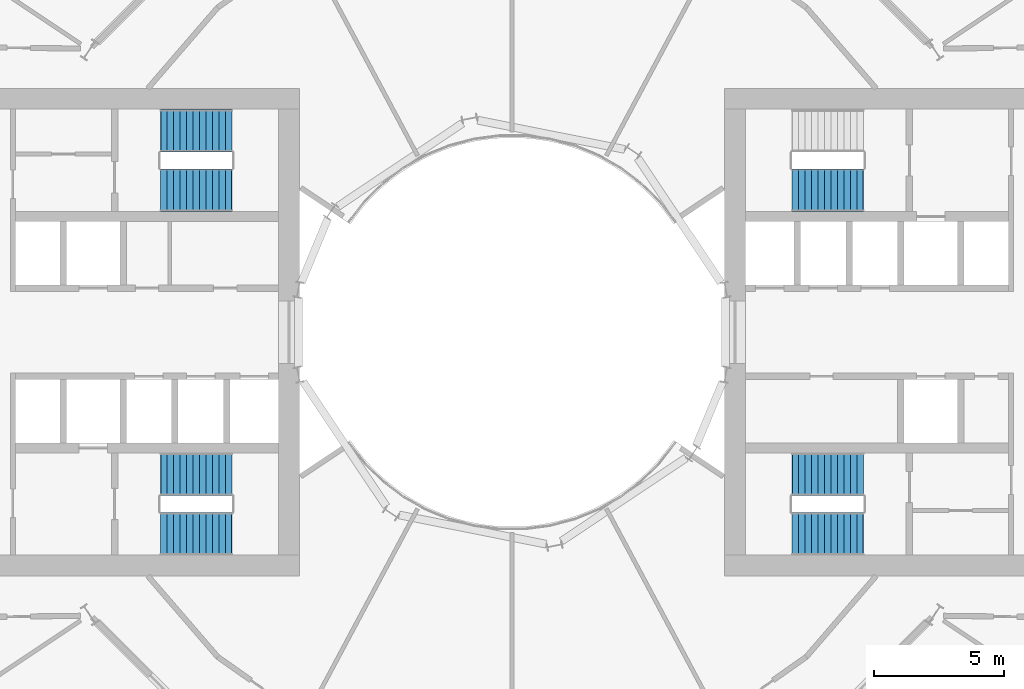
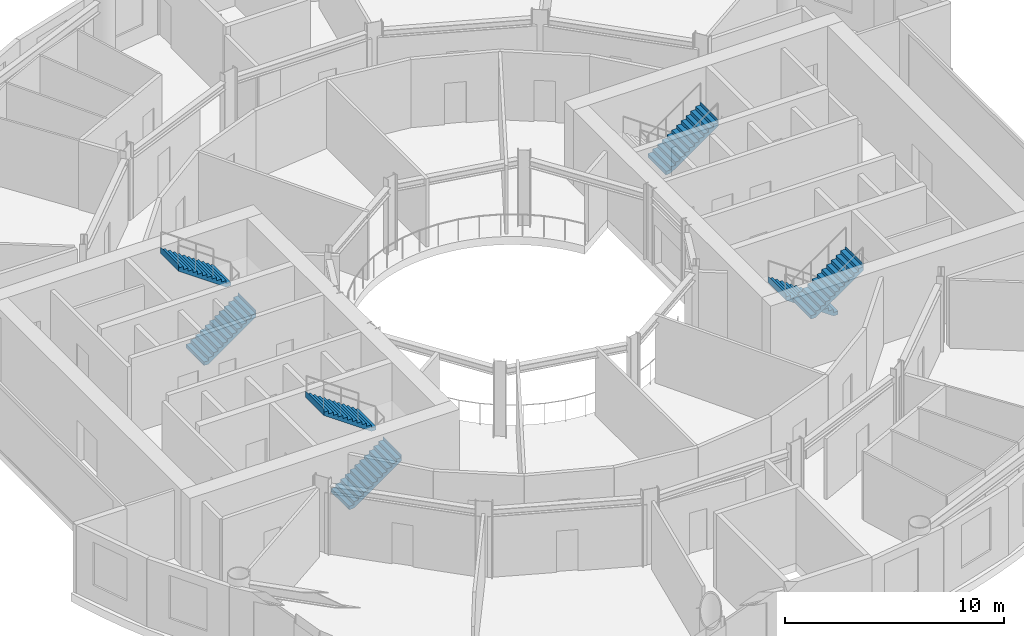
# One storey, part 10 of 13: 7 stair flights, 4 elements without a shape of their own.
"""IFC4 building model written with IfcOpenShell, lengths in metres."""

from ifc_helpers import new_model, si_unit, direction, frame, origin, place, context, subcontext, project, spatial, triangles, material, type_object, element, aggregate, save


model = new_model("IFC4")

# Units and contexts
model_context = context("Model", 3, precision=1e-05, world=origin(), true_north=direction((0.0, 1.0)))
body_context = subcontext(model_context, "Body", "Model", "MODEL_VIEW")
ifc_project = project(units=[si_unit("LENGTHUNIT", "METRE"), si_unit("AREAUNIT", "SQUARE_METRE"), si_unit("VOLUMEUNIT", "CUBIC_METRE"), si_unit("PLANEANGLEUNIT", "RADIAN"), si_unit("MASSUNIT", "GRAM", prefix="KILO")], contexts=[model_context])

# Site, building, storey
site_placement = place(None, origin())
site = spatial("IfcSite", under=ifc_project, at=site_placement, CompositionType="ELEMENT")
building_placement = place(site_placement, origin())
building = spatial("IfcBuilding", under=site, at=building_placement, Name="Maasbend Ring Residences", CompositionType="ELEMENT")
storey_placement = place(building_placement, frame((0.0, 0.0, 14.10009765625)))
storey = spatial("IfcBuildingStorey", under=building, at=storey_placement, Name="L03", CompositionType="ELEMENT", Elevation=14.10009765625)

# Stair, stair flight
ifc_material_1 = material(Name="Concrete C40/50", Category="concrete")
stair_type = type_object("IfcStairType", Name="CORE STAIR 24 RISERS", PredefinedType="HALF_TURN_STAIR", material=ifc_material_1)
stair_1_placement = place(storey_placement, origin())
stair_1 = element("IfcStair", 1, at=stair_1_placement, inside=storey, type_object=stair_type, Name="L03 Exit stair ST-E1", PredefinedType="HALF_TURN_STAIR")
ifc_material_2 = material(Name="Concrete C40/50", Category="concrete")
stair_flight_type = type_object("IfcStairFlightType", Name="CORE STAIR FLIGHT 1650", PredefinedType="STRAIGHT", material=ifc_material_2)
stair_flight_1_placement = place(storey_placement, frame((10.800048828125, 5.47509765625, 2.099853515625), z_axis=(0.0, 0.0, 1.0), x_axis=(1.0, 0.0, 0.0)))
stair_flight_1 = element("IfcStairFlight", 2, at=stair_flight_1_placement, type_object=stair_flight_type, Name="ST-E1 flight 2", NumberOfRisers=12, NumberOfTreads=11, PredefinedType="STRAIGHT", RiserHeight=0.175, TreadLength=0.25, context=body_context, shape_type="Tessellation", body=[
    triangles([(0.23583984375, 0.824951171875, -0.02001953125), (2.7529296875, 0.824951171875, 1.741943359375), (2.7529296875, 0.824951171875, 2.10009765625), (2.739990234375, 0.824951171875, 1.925048828125), (2.5, 0.824951171875, 1.925048828125), (2.5, 0.824951171875, 1.75), (2.25, 0.824951171875, 1.75), (2.25, 0.824951171875, 1.574951171875), (2.0, 0.824951171875, 1.574951171875), (2.0, 0.824951171875, 1.39990234375), (1.75, 0.824951171875, 1.39990234375), (1.75, 0.824951171875, 1.22509765625), (1.5, 0.824951171875, 1.22509765625), (1.5, 0.824951171875, 1.050048828125), (1.25, 0.824951171875, 1.050048828125), (1.25, 0.824951171875, 0.875), (1.0, 0.824951171875, 0.875), (1.0, 0.824951171875, 0.699951171875), (0.75, 0.824951171875, 0.699951171875), (0.75, 0.824951171875, 0.52490234375), (0.5, 0.824951171875, 0.52490234375), (0.5, 0.824951171875, 0.35009765625), (0.25, 0.824951171875, 0.35009765625), (0.25, 0.824951171875, 0.175048828125), (0.0, 0.824951171875, 0.175048828125), (0.0, 0.824951171875, 0.0), (-0.0029296875, 0.824951171875, 0.0), (-0.0029296875, 0.824951171875, -0.02001953125), (0.23583984375, -0.824951171875, -0.02001953125), (2.7529296875, -0.824951171875, 1.741943359375), (2.7529296875, -0.824951171875, 2.10009765625), (2.739990234375, -0.824951171875, 1.925048828125), (2.5, -0.824951171875, 1.925048828125), (2.5, -0.824951171875, 1.75), (2.25, -0.824951171875, 1.75), (2.25, -0.824951171875, 1.574951171875), (2.0, -0.824951171875, 1.574951171875), (2.0, -0.824951171875, 1.39990234375), (1.75, -0.824951171875, 1.39990234375), (1.75, -0.824951171875, 1.22509765625), (1.5, -0.824951171875, 1.22509765625), (1.5, -0.824951171875, 1.050048828125), (1.25, -0.824951171875, 1.050048828125), (1.25, -0.824951171875, 0.875), (1.0, -0.824951171875, 0.875), (1.0, -0.824951171875, 0.699951171875), (0.75, -0.824951171875, 0.699951171875), (0.75, -0.824951171875, 0.52490234375), (0.5, -0.824951171875, 0.52490234375), (0.5, -0.824951171875, 0.35009765625), (0.25, -0.824951171875, 0.35009765625), (0.25, -0.824951171875, 0.175048828125), (0.0, -0.824951171875, 0.175048828125), (0.0, -0.824951171875, 0.0), (-0.0029296875, -0.824951171875, 0.0), (-0.0029296875, -0.824951171875, -0.02001953125)], [[1, 2, 30], [1, 30, 29], [2, 3, 31], [2, 31, 30], [3, 4, 32], [3, 32, 31], [4, 5, 33], [4, 33, 32], [5, 6, 34], [5, 34, 33], [6, 7, 35], [6, 35, 34], [7, 8, 36], [7, 36, 35], [8, 9, 37], [8, 37, 36], [9, 10, 38], [9, 38, 37], [10, 11, 39], [10, 39, 38], [11, 12, 40], [11, 40, 39], [12, 13, 41], [12, 41, 40], [13, 14, 42], [13, 42, 41], [14, 15, 43], [14, 43, 42], [15, 16, 44], [15, 44, 43], [16, 17, 45], [16, 45, 44], [17, 18, 46], [17, 46, 45], [18, 19, 47], [18, 47, 46], [19, 20, 48], [19, 48, 47], [20, 21, 49], [20, 49, 48], [21, 22, 50], [21, 50, 49], [22, 23, 51], [22, 51, 50], [23, 24, 52], [23, 52, 51], [24, 25, 53], [24, 53, 52], [25, 26, 54], [25, 54, 53], [26, 27, 55], [26, 55, 54], [27, 28, 56], [27, 56, 55], [28, 1, 29], [28, 29, 56], [28, 2, 1], [2, 4, 3], [2, 5, 4], [2, 6, 5], [28, 6, 2], [6, 8, 7], [28, 8, 6], [8, 10, 9], [28, 10, 8], [10, 12, 11], [28, 12, 10], [12, 14, 13], [28, 14, 12], [14, 16, 15], [28, 16, 14], [16, 18, 17], [28, 18, 16], [18, 20, 19], [28, 20, 18], [20, 22, 21], [28, 22, 20], [22, 24, 23], [28, 24, 22], [24, 26, 25], [28, 26, 24], [26, 28, 27], [56, 29, 30], [30, 31, 32], [30, 32, 33], [30, 33, 34], [56, 30, 34], [34, 35, 36], [56, 34, 36], [36, 37, 38], [56, 36, 38], [38, 39, 40], [56, 38, 40], [40, 41, 42], [56, 40, 42], [42, 43, 44], [56, 42, 44], [44, 45, 46], [56, 44, 46], [46, 47, 48], [56, 46, 48], [48, 49, 50], [56, 48, 50], [50, 51, 52], [56, 50, 52], [52, 53, 54], [56, 52, 54], [54, 55, 56]], closed=True),
])
aggregate(stair_1, [stair_flight_1])

# Stair, stair flights
stair_2_placement = place(storey_placement, origin())
stair_2 = element("IfcStair", 3, at=stair_2_placement, inside=storey, type_object=stair_type, Name="L03 Exit stair ST-E2", PredefinedType="HALF_TURN_STAIR")
stair_flight_2_placement = place(storey_placement, frame((13.550048828125, -5.47509765625, 0.0), z_axis=(0.0, 0.0, 1.0), x_axis=(-1.0, 0.0, 0.0)))
stair_flight_2 = element("IfcStairFlight", 4, at=stair_flight_2_placement, type_object=stair_flight_type, Name="ST-E2 flight 1", NumberOfRisers=12, NumberOfTreads=11, PredefinedType="STRAIGHT", RiserHeight=0.175, TreadLength=0.25, context=body_context, shape_type="Tessellation", body=[
    triangles([(0.23583984375, 0.824951171875, -0.02001953125), (2.7529296875, 0.824951171875, 1.741943359375), (2.7529296875, 0.824951171875, 2.10009765625), (2.739990234375, 0.824951171875, 1.925048828125), (2.5, 0.824951171875, 1.925048828125), (2.5, 0.824951171875, 1.75), (2.25, 0.824951171875, 1.75), (2.25, 0.824951171875, 1.574951171875), (2.0, 0.824951171875, 1.574951171875), (2.0, 0.824951171875, 1.39990234375), (1.75, 0.824951171875, 1.39990234375), (1.75, 0.824951171875, 1.22509765625), (1.5, 0.824951171875, 1.22509765625), (1.5, 0.824951171875, 1.050048828125), (1.25, 0.824951171875, 1.050048828125), (1.25, 0.824951171875, 0.875), (1.0, 0.824951171875, 0.875), (1.0, 0.824951171875, 0.699951171875), (0.75, 0.824951171875, 0.699951171875), (0.75, 0.824951171875, 0.52490234375), (0.5, 0.824951171875, 0.52490234375), (0.5, 0.824951171875, 0.35009765625), (0.25, 0.824951171875, 0.35009765625), (0.25, 0.824951171875, 0.175048828125), (0.0, 0.824951171875, 0.175048828125), (0.0, 0.824951171875, 0.0), (-0.0029296875, 0.824951171875, 0.0), (-0.0029296875, 0.824951171875, -0.02001953125), (0.23583984375, -0.824951171875, -0.02001953125), (2.7529296875, -0.824951171875, 1.741943359375), (2.7529296875, -0.824951171875, 2.10009765625), (2.739990234375, -0.824951171875, 1.925048828125), (2.5, -0.824951171875, 1.925048828125), (2.5, -0.824951171875, 1.75), (2.25, -0.824951171875, 1.75), (2.25, -0.824951171875, 1.574951171875), (2.0, -0.824951171875, 1.574951171875), (2.0, -0.824951171875, 1.39990234375), (1.75, -0.824951171875, 1.39990234375), (1.75, -0.824951171875, 1.22509765625), (1.5, -0.824951171875, 1.22509765625), (1.5, -0.824951171875, 1.050048828125), (1.25, -0.824951171875, 1.050048828125), (1.25, -0.824951171875, 0.875), (1.0, -0.824951171875, 0.875), (1.0, -0.824951171875, 0.699951171875), (0.75, -0.824951171875, 0.699951171875), (0.75, -0.824951171875, 0.52490234375), (0.5, -0.824951171875, 0.52490234375), (0.5, -0.824951171875, 0.35009765625), (0.25, -0.824951171875, 0.35009765625), (0.25, -0.824951171875, 0.175048828125), (0.0, -0.824951171875, 0.175048828125), (0.0, -0.824951171875, 0.0), (-0.0029296875, -0.824951171875, 0.0), (-0.0029296875, -0.824951171875, -0.02001953125)], [[1, 2, 30], [1, 30, 29], [2, 3, 31], [2, 31, 30], [3, 4, 32], [3, 32, 31], [4, 5, 33], [4, 33, 32], [5, 6, 34], [5, 34, 33], [6, 7, 35], [6, 35, 34], [7, 8, 36], [7, 36, 35], [8, 9, 37], [8, 37, 36], [9, 10, 38], [9, 38, 37], [10, 11, 39], [10, 39, 38], [11, 12, 40], [11, 40, 39], [12, 13, 41], [12, 41, 40], [13, 14, 42], [13, 42, 41], [14, 15, 43], [14, 43, 42], [15, 16, 44], [15, 44, 43], [16, 17, 45], [16, 45, 44], [17, 18, 46], [17, 46, 45], [18, 19, 47], [18, 47, 46], [19, 20, 48], [19, 48, 47], [20, 21, 49], [20, 49, 48], [21, 22, 50], [21, 50, 49], [22, 23, 51], [22, 51, 50], [23, 24, 52], [23, 52, 51], [24, 25, 53], [24, 53, 52], [25, 26, 54], [25, 54, 53], [26, 27, 55], [26, 55, 54], [27, 28, 56], [27, 56, 55], [28, 1, 29], [28, 29, 56], [28, 2, 1], [2, 4, 3], [2, 5, 4], [2, 6, 5], [28, 6, 2], [6, 8, 7], [28, 8, 6], [8, 10, 9], [28, 10, 8], [10, 12, 11], [28, 12, 10], [12, 14, 13], [28, 14, 12], [14, 16, 15], [28, 16, 14], [16, 18, 17], [28, 18, 16], [18, 20, 19], [28, 20, 18], [20, 22, 21], [28, 22, 20], [22, 24, 23], [28, 24, 22], [24, 26, 25], [28, 26, 24], [26, 28, 27], [56, 29, 30], [30, 31, 32], [30, 32, 33], [30, 33, 34], [56, 30, 34], [34, 35, 36], [56, 34, 36], [36, 37, 38], [56, 36, 38], [38, 39, 40], [56, 38, 40], [40, 41, 42], [56, 40, 42], [42, 43, 44], [56, 42, 44], [44, 45, 46], [56, 44, 46], [46, 47, 48], [56, 46, 48], [48, 49, 50], [56, 48, 50], [50, 51, 52], [56, 50, 52], [52, 53, 54], [56, 52, 54], [54, 55, 56]], closed=True),
])
stair_flight_3_placement = place(storey_placement, frame((10.800048828125, -7.77490234375, 2.099853515625), z_axis=(0.0, 0.0, 1.0), x_axis=(1.0, 0.0, 0.0)))
stair_flight_3 = element("IfcStairFlight", 5, at=stair_flight_3_placement, type_object=stair_flight_type, Name="ST-E2 flight 2", NumberOfRisers=12, NumberOfTreads=11, PredefinedType="STRAIGHT", RiserHeight=0.175, TreadLength=0.25, context=body_context, shape_type="Tessellation", body=[
    triangles([(0.23583984375, 0.824951171875, -0.02001953125), (2.7529296875, 0.824951171875, 1.741943359375), (2.7529296875, 0.824951171875, 2.10009765625), (2.739990234375, 0.824951171875, 1.925048828125), (2.5, 0.824951171875, 1.925048828125), (2.5, 0.824951171875, 1.75), (2.25, 0.824951171875, 1.75), (2.25, 0.824951171875, 1.574951171875), (2.0, 0.824951171875, 1.574951171875), (2.0, 0.824951171875, 1.39990234375), (1.75, 0.824951171875, 1.39990234375), (1.75, 0.824951171875, 1.22509765625), (1.5, 0.824951171875, 1.22509765625), (1.5, 0.824951171875, 1.050048828125), (1.25, 0.824951171875, 1.050048828125), (1.25, 0.824951171875, 0.875), (1.0, 0.824951171875, 0.875), (1.0, 0.824951171875, 0.699951171875), (0.75, 0.824951171875, 0.699951171875), (0.75, 0.824951171875, 0.52490234375), (0.5, 0.824951171875, 0.52490234375), (0.5, 0.824951171875, 0.35009765625), (0.25, 0.824951171875, 0.35009765625), (0.25, 0.824951171875, 0.175048828125), (0.0, 0.824951171875, 0.175048828125), (0.0, 0.824951171875, 0.0), (-0.0029296875, 0.824951171875, 0.0), (-0.0029296875, 0.824951171875, -0.02001953125), (0.23583984375, -0.824951171875, -0.02001953125), (2.7529296875, -0.824951171875, 1.741943359375), (2.7529296875, -0.824951171875, 2.10009765625), (2.739990234375, -0.824951171875, 1.925048828125), (2.5, -0.824951171875, 1.925048828125), (2.5, -0.824951171875, 1.75), (2.25, -0.824951171875, 1.75), (2.25, -0.824951171875, 1.574951171875), (2.0, -0.824951171875, 1.574951171875), (2.0, -0.824951171875, 1.39990234375), (1.75, -0.824951171875, 1.39990234375), (1.75, -0.824951171875, 1.22509765625), (1.5, -0.824951171875, 1.22509765625), (1.5, -0.824951171875, 1.050048828125), (1.25, -0.824951171875, 1.050048828125), (1.25, -0.824951171875, 0.875), (1.0, -0.824951171875, 0.875), (1.0, -0.824951171875, 0.699951171875), (0.75, -0.824951171875, 0.699951171875), (0.75, -0.824951171875, 0.52490234375), (0.5, -0.824951171875, 0.52490234375), (0.5, -0.824951171875, 0.35009765625), (0.25, -0.824951171875, 0.35009765625), (0.25, -0.824951171875, 0.175048828125), (0.0, -0.824951171875, 0.175048828125), (0.0, -0.824951171875, 0.0), (-0.0029296875, -0.824951171875, 0.0), (-0.0029296875, -0.824951171875, -0.02001953125)], [[1, 2, 30], [1, 30, 29], [2, 3, 31], [2, 31, 30], [3, 4, 32], [3, 32, 31], [4, 5, 33], [4, 33, 32], [5, 6, 34], [5, 34, 33], [6, 7, 35], [6, 35, 34], [7, 8, 36], [7, 36, 35], [8, 9, 37], [8, 37, 36], [9, 10, 38], [9, 38, 37], [10, 11, 39], [10, 39, 38], [11, 12, 40], [11, 40, 39], [12, 13, 41], [12, 41, 40], [13, 14, 42], [13, 42, 41], [14, 15, 43], [14, 43, 42], [15, 16, 44], [15, 44, 43], [16, 17, 45], [16, 45, 44], [17, 18, 46], [17, 46, 45], [18, 19, 47], [18, 47, 46], [19, 20, 48], [19, 48, 47], [20, 21, 49], [20, 49, 48], [21, 22, 50], [21, 50, 49], [22, 23, 51], [22, 51, 50], [23, 24, 52], [23, 52, 51], [24, 25, 53], [24, 53, 52], [25, 26, 54], [25, 54, 53], [26, 27, 55], [26, 55, 54], [27, 28, 56], [27, 56, 55], [28, 1, 29], [28, 29, 56], [28, 2, 1], [2, 4, 3], [2, 5, 4], [2, 6, 5], [28, 6, 2], [6, 8, 7], [28, 8, 6], [8, 10, 9], [28, 10, 8], [10, 12, 11], [28, 12, 10], [12, 14, 13], [28, 14, 12], [14, 16, 15], [28, 16, 14], [16, 18, 17], [28, 18, 16], [18, 20, 19], [28, 20, 18], [20, 22, 21], [28, 22, 20], [22, 24, 23], [28, 24, 22], [24, 26, 25], [28, 26, 24], [26, 28, 27], [56, 29, 30], [30, 31, 32], [30, 32, 33], [30, 33, 34], [56, 30, 34], [34, 35, 36], [56, 34, 36], [36, 37, 38], [56, 36, 38], [38, 39, 40], [56, 38, 40], [40, 41, 42], [56, 40, 42], [42, 43, 44], [56, 42, 44], [44, 45, 46], [56, 44, 46], [46, 47, 48], [56, 46, 48], [48, 49, 50], [56, 48, 50], [50, 51, 52], [56, 50, 52], [52, 53, 54], [56, 52, 54], [54, 55, 56]], closed=True),
])
aggregate(stair_2, [stair_flight_2, stair_flight_3])

stair_3_placement = place(storey_placement, origin())
stair_3 = element("IfcStair", 6, at=stair_3_placement, inside=storey, type_object=stair_type, Name="L03 Exit stair ST-W1", PredefinedType="HALF_TURN_STAIR")
stair_flight_4_placement = place(storey_placement, frame((-13.550048828125, -7.77490234375, 0.0), z_axis=(0.0, 0.0, 1.0), x_axis=(1.0, 0.0, 0.0)))
stair_flight_4 = element("IfcStairFlight", 7, at=stair_flight_4_placement, type_object=stair_flight_type, Name="ST-W1 flight 1", NumberOfRisers=12, NumberOfTreads=11, PredefinedType="STRAIGHT", RiserHeight=0.175, TreadLength=0.25, context=body_context, shape_type="Tessellation", body=[
    triangles([(0.23583984375, 0.824951171875, -0.02001953125), (2.7529296875, 0.824951171875, 1.741943359375), (2.7529296875, 0.824951171875, 2.10009765625), (2.739990234375, 0.824951171875, 1.925048828125), (2.5, 0.824951171875, 1.925048828125), (2.5, 0.824951171875, 1.75), (2.25, 0.824951171875, 1.75), (2.25, 0.824951171875, 1.574951171875), (2.0, 0.824951171875, 1.574951171875), (2.0, 0.824951171875, 1.39990234375), (1.75, 0.824951171875, 1.39990234375), (1.75, 0.824951171875, 1.22509765625), (1.5, 0.824951171875, 1.22509765625), (1.5, 0.824951171875, 1.050048828125), (1.25, 0.824951171875, 1.050048828125), (1.25, 0.824951171875, 0.875), (1.0, 0.824951171875, 0.875), (1.0, 0.824951171875, 0.699951171875), (0.75, 0.824951171875, 0.699951171875), (0.75, 0.824951171875, 0.52490234375), (0.5, 0.824951171875, 0.52490234375), (0.5, 0.824951171875, 0.35009765625), (0.25, 0.824951171875, 0.35009765625), (0.25, 0.824951171875, 0.175048828125), (0.0, 0.824951171875, 0.175048828125), (0.0, 0.824951171875, 0.0), (-0.0029296875, 0.824951171875, 0.0), (-0.0029296875, 0.824951171875, -0.02001953125), (0.23583984375, -0.824951171875, -0.02001953125), (2.7529296875, -0.824951171875, 1.741943359375), (2.7529296875, -0.824951171875, 2.10009765625), (2.739990234375, -0.824951171875, 1.925048828125), (2.5, -0.824951171875, 1.925048828125), (2.5, -0.824951171875, 1.75), (2.25, -0.824951171875, 1.75), (2.25, -0.824951171875, 1.574951171875), (2.0, -0.824951171875, 1.574951171875), (2.0, -0.824951171875, 1.39990234375), (1.75, -0.824951171875, 1.39990234375), (1.75, -0.824951171875, 1.22509765625), (1.5, -0.824951171875, 1.22509765625), (1.5, -0.824951171875, 1.050048828125), (1.25, -0.824951171875, 1.050048828125), (1.25, -0.824951171875, 0.875), (1.0, -0.824951171875, 0.875), (1.0, -0.824951171875, 0.699951171875), (0.75, -0.824951171875, 0.699951171875), (0.75, -0.824951171875, 0.52490234375), (0.5, -0.824951171875, 0.52490234375), (0.5, -0.824951171875, 0.35009765625), (0.25, -0.824951171875, 0.35009765625), (0.25, -0.824951171875, 0.175048828125), (0.0, -0.824951171875, 0.175048828125), (0.0, -0.824951171875, 0.0), (-0.0029296875, -0.824951171875, 0.0), (-0.0029296875, -0.824951171875, -0.02001953125)], [[1, 2, 30], [1, 30, 29], [2, 3, 31], [2, 31, 30], [3, 4, 32], [3, 32, 31], [4, 5, 33], [4, 33, 32], [5, 6, 34], [5, 34, 33], [6, 7, 35], [6, 35, 34], [7, 8, 36], [7, 36, 35], [8, 9, 37], [8, 37, 36], [9, 10, 38], [9, 38, 37], [10, 11, 39], [10, 39, 38], [11, 12, 40], [11, 40, 39], [12, 13, 41], [12, 41, 40], [13, 14, 42], [13, 42, 41], [14, 15, 43], [14, 43, 42], [15, 16, 44], [15, 44, 43], [16, 17, 45], [16, 45, 44], [17, 18, 46], [17, 46, 45], [18, 19, 47], [18, 47, 46], [19, 20, 48], [19, 48, 47], [20, 21, 49], [20, 49, 48], [21, 22, 50], [21, 50, 49], [22, 23, 51], [22, 51, 50], [23, 24, 52], [23, 52, 51], [24, 25, 53], [24, 53, 52], [25, 26, 54], [25, 54, 53], [26, 27, 55], [26, 55, 54], [27, 28, 56], [27, 56, 55], [28, 1, 29], [28, 29, 56], [28, 2, 1], [2, 4, 3], [2, 5, 4], [2, 6, 5], [28, 6, 2], [6, 8, 7], [28, 8, 6], [8, 10, 9], [28, 10, 8], [10, 12, 11], [28, 12, 10], [12, 14, 13], [28, 14, 12], [14, 16, 15], [28, 16, 14], [16, 18, 17], [28, 18, 16], [18, 20, 19], [28, 20, 18], [20, 22, 21], [28, 22, 20], [22, 24, 23], [28, 24, 22], [24, 26, 25], [28, 26, 24], [26, 28, 27], [56, 29, 30], [30, 31, 32], [30, 32, 33], [30, 33, 34], [56, 30, 34], [34, 35, 36], [56, 34, 36], [36, 37, 38], [56, 36, 38], [38, 39, 40], [56, 38, 40], [40, 41, 42], [56, 40, 42], [42, 43, 44], [56, 42, 44], [44, 45, 46], [56, 44, 46], [46, 47, 48], [56, 46, 48], [48, 49, 50], [56, 48, 50], [50, 51, 52], [56, 50, 52], [52, 53, 54], [56, 52, 54], [54, 55, 56]], closed=True),
])
stair_flight_5_placement = place(storey_placement, frame((-10.800048828125, -5.47509765625, 2.099853515625), z_axis=(0.0, 0.0, 1.0), x_axis=(-1.0, 0.0, 0.0)))
stair_flight_5 = element("IfcStairFlight", 8, at=stair_flight_5_placement, type_object=stair_flight_type, Name="ST-W1 flight 2", NumberOfRisers=12, NumberOfTreads=11, PredefinedType="STRAIGHT", RiserHeight=0.175, TreadLength=0.25, context=body_context, shape_type="Tessellation", body=[
    triangles([(0.23583984375, 0.824951171875, -0.02001953125), (2.7529296875, 0.824951171875, 1.741943359375), (2.7529296875, 0.824951171875, 2.10009765625), (2.739990234375, 0.824951171875, 1.925048828125), (2.5, 0.824951171875, 1.925048828125), (2.5, 0.824951171875, 1.75), (2.25, 0.824951171875, 1.75), (2.25, 0.824951171875, 1.574951171875), (2.0, 0.824951171875, 1.574951171875), (2.0, 0.824951171875, 1.39990234375), (1.75, 0.824951171875, 1.39990234375), (1.75, 0.824951171875, 1.22509765625), (1.5, 0.824951171875, 1.22509765625), (1.5, 0.824951171875, 1.050048828125), (1.25, 0.824951171875, 1.050048828125), (1.25, 0.824951171875, 0.875), (1.0, 0.824951171875, 0.875), (1.0, 0.824951171875, 0.699951171875), (0.75, 0.824951171875, 0.699951171875), (0.75, 0.824951171875, 0.52490234375), (0.5, 0.824951171875, 0.52490234375), (0.5, 0.824951171875, 0.35009765625), (0.25, 0.824951171875, 0.35009765625), (0.25, 0.824951171875, 0.175048828125), (0.0, 0.824951171875, 0.175048828125), (0.0, 0.824951171875, 0.0), (-0.0029296875, 0.824951171875, 0.0), (-0.0029296875, 0.824951171875, -0.02001953125), (0.23583984375, -0.824951171875, -0.02001953125), (2.7529296875, -0.824951171875, 1.741943359375), (2.7529296875, -0.824951171875, 2.10009765625), (2.739990234375, -0.824951171875, 1.925048828125), (2.5, -0.824951171875, 1.925048828125), (2.5, -0.824951171875, 1.75), (2.25, -0.824951171875, 1.75), (2.25, -0.824951171875, 1.574951171875), (2.0, -0.824951171875, 1.574951171875), (2.0, -0.824951171875, 1.39990234375), (1.75, -0.824951171875, 1.39990234375), (1.75, -0.824951171875, 1.22509765625), (1.5, -0.824951171875, 1.22509765625), (1.5, -0.824951171875, 1.050048828125), (1.25, -0.824951171875, 1.050048828125), (1.25, -0.824951171875, 0.875), (1.0, -0.824951171875, 0.875), (1.0, -0.824951171875, 0.699951171875), (0.75, -0.824951171875, 0.699951171875), (0.75, -0.824951171875, 0.52490234375), (0.5, -0.824951171875, 0.52490234375), (0.5, -0.824951171875, 0.35009765625), (0.25, -0.824951171875, 0.35009765625), (0.25, -0.824951171875, 0.175048828125), (0.0, -0.824951171875, 0.175048828125), (0.0, -0.824951171875, 0.0), (-0.0029296875, -0.824951171875, 0.0), (-0.0029296875, -0.824951171875, -0.02001953125)], [[1, 2, 30], [1, 30, 29], [2, 3, 31], [2, 31, 30], [3, 4, 32], [3, 32, 31], [4, 5, 33], [4, 33, 32], [5, 6, 34], [5, 34, 33], [6, 7, 35], [6, 35, 34], [7, 8, 36], [7, 36, 35], [8, 9, 37], [8, 37, 36], [9, 10, 38], [9, 38, 37], [10, 11, 39], [10, 39, 38], [11, 12, 40], [11, 40, 39], [12, 13, 41], [12, 41, 40], [13, 14, 42], [13, 42, 41], [14, 15, 43], [14, 43, 42], [15, 16, 44], [15, 44, 43], [16, 17, 45], [16, 45, 44], [17, 18, 46], [17, 46, 45], [18, 19, 47], [18, 47, 46], [19, 20, 48], [19, 48, 47], [20, 21, 49], [20, 49, 48], [21, 22, 50], [21, 50, 49], [22, 23, 51], [22, 51, 50], [23, 24, 52], [23, 52, 51], [24, 25, 53], [24, 53, 52], [25, 26, 54], [25, 54, 53], [26, 27, 55], [26, 55, 54], [27, 28, 56], [27, 56, 55], [28, 1, 29], [28, 29, 56], [28, 2, 1], [2, 4, 3], [2, 5, 4], [2, 6, 5], [28, 6, 2], [6, 8, 7], [28, 8, 6], [8, 10, 9], [28, 10, 8], [10, 12, 11], [28, 12, 10], [12, 14, 13], [28, 14, 12], [14, 16, 15], [28, 16, 14], [16, 18, 17], [28, 18, 16], [18, 20, 19], [28, 20, 18], [20, 22, 21], [28, 22, 20], [22, 24, 23], [28, 24, 22], [24, 26, 25], [28, 26, 24], [26, 28, 27], [56, 29, 30], [30, 31, 32], [30, 32, 33], [30, 33, 34], [56, 30, 34], [34, 35, 36], [56, 34, 36], [36, 37, 38], [56, 36, 38], [38, 39, 40], [56, 38, 40], [40, 41, 42], [56, 40, 42], [42, 43, 44], [56, 42, 44], [44, 45, 46], [56, 44, 46], [46, 47, 48], [56, 46, 48], [48, 49, 50], [56, 48, 50], [50, 51, 52], [56, 50, 52], [52, 53, 54], [56, 52, 54], [54, 55, 56]], closed=True),
])
aggregate(stair_3, [stair_flight_4, stair_flight_5])

stair_4_placement = place(storey_placement, origin())
stair_4 = element("IfcStair", 9, at=stair_4_placement, inside=storey, type_object=stair_type, Name="L03 Exit stair ST-W2", PredefinedType="HALF_TURN_STAIR")
stair_flight_6_placement = place(storey_placement, frame((-13.550048828125, 5.47509765625, 0.0), z_axis=(0.0, 0.0, 1.0), x_axis=(1.0, 0.0, 0.0)))
stair_flight_6 = element("IfcStairFlight", 10, at=stair_flight_6_placement, type_object=stair_flight_type, Name="ST-W2 flight 1", NumberOfRisers=12, NumberOfTreads=11, PredefinedType="STRAIGHT", RiserHeight=0.175, TreadLength=0.25, context=body_context, shape_type="Tessellation", body=[
    triangles([(0.23583984375, 0.824951171875, -0.02001953125), (2.7529296875, 0.824951171875, 1.741943359375), (2.7529296875, 0.824951171875, 2.10009765625), (2.739990234375, 0.824951171875, 1.925048828125), (2.5, 0.824951171875, 1.925048828125), (2.5, 0.824951171875, 1.75), (2.25, 0.824951171875, 1.75), (2.25, 0.824951171875, 1.574951171875), (2.0, 0.824951171875, 1.574951171875), (2.0, 0.824951171875, 1.39990234375), (1.75, 0.824951171875, 1.39990234375), (1.75, 0.824951171875, 1.22509765625), (1.5, 0.824951171875, 1.22509765625), (1.5, 0.824951171875, 1.050048828125), (1.25, 0.824951171875, 1.050048828125), (1.25, 0.824951171875, 0.875), (1.0, 0.824951171875, 0.875), (1.0, 0.824951171875, 0.699951171875), (0.75, 0.824951171875, 0.699951171875), (0.75, 0.824951171875, 0.52490234375), (0.5, 0.824951171875, 0.52490234375), (0.5, 0.824951171875, 0.35009765625), (0.25, 0.824951171875, 0.35009765625), (0.25, 0.824951171875, 0.175048828125), (0.0, 0.824951171875, 0.175048828125), (0.0, 0.824951171875, 0.0), (-0.0029296875, 0.824951171875, 0.0), (-0.0029296875, 0.824951171875, -0.02001953125), (0.23583984375, -0.824951171875, -0.02001953125), (2.7529296875, -0.824951171875, 1.741943359375), (2.7529296875, -0.824951171875, 2.10009765625), (2.739990234375, -0.824951171875, 1.925048828125), (2.5, -0.824951171875, 1.925048828125), (2.5, -0.824951171875, 1.75), (2.25, -0.824951171875, 1.75), (2.25, -0.824951171875, 1.574951171875), (2.0, -0.824951171875, 1.574951171875), (2.0, -0.824951171875, 1.39990234375), (1.75, -0.824951171875, 1.39990234375), (1.75, -0.824951171875, 1.22509765625), (1.5, -0.824951171875, 1.22509765625), (1.5, -0.824951171875, 1.050048828125), (1.25, -0.824951171875, 1.050048828125), (1.25, -0.824951171875, 0.875), (1.0, -0.824951171875, 0.875), (1.0, -0.824951171875, 0.699951171875), (0.75, -0.824951171875, 0.699951171875), (0.75, -0.824951171875, 0.52490234375), (0.5, -0.824951171875, 0.52490234375), (0.5, -0.824951171875, 0.35009765625), (0.25, -0.824951171875, 0.35009765625), (0.25, -0.824951171875, 0.175048828125), (0.0, -0.824951171875, 0.175048828125), (0.0, -0.824951171875, 0.0), (-0.0029296875, -0.824951171875, 0.0), (-0.0029296875, -0.824951171875, -0.02001953125)], [[1, 2, 30], [1, 30, 29], [2, 3, 31], [2, 31, 30], [3, 4, 32], [3, 32, 31], [4, 5, 33], [4, 33, 32], [5, 6, 34], [5, 34, 33], [6, 7, 35], [6, 35, 34], [7, 8, 36], [7, 36, 35], [8, 9, 37], [8, 37, 36], [9, 10, 38], [9, 38, 37], [10, 11, 39], [10, 39, 38], [11, 12, 40], [11, 40, 39], [12, 13, 41], [12, 41, 40], [13, 14, 42], [13, 42, 41], [14, 15, 43], [14, 43, 42], [15, 16, 44], [15, 44, 43], [16, 17, 45], [16, 45, 44], [17, 18, 46], [17, 46, 45], [18, 19, 47], [18, 47, 46], [19, 20, 48], [19, 48, 47], [20, 21, 49], [20, 49, 48], [21, 22, 50], [21, 50, 49], [22, 23, 51], [22, 51, 50], [23, 24, 52], [23, 52, 51], [24, 25, 53], [24, 53, 52], [25, 26, 54], [25, 54, 53], [26, 27, 55], [26, 55, 54], [27, 28, 56], [27, 56, 55], [28, 1, 29], [28, 29, 56], [28, 2, 1], [2, 4, 3], [2, 5, 4], [2, 6, 5], [28, 6, 2], [6, 8, 7], [28, 8, 6], [8, 10, 9], [28, 10, 8], [10, 12, 11], [28, 12, 10], [12, 14, 13], [28, 14, 12], [14, 16, 15], [28, 16, 14], [16, 18, 17], [28, 18, 16], [18, 20, 19], [28, 20, 18], [20, 22, 21], [28, 22, 20], [22, 24, 23], [28, 24, 22], [24, 26, 25], [28, 26, 24], [26, 28, 27], [56, 29, 30], [30, 31, 32], [30, 32, 33], [30, 33, 34], [56, 30, 34], [34, 35, 36], [56, 34, 36], [36, 37, 38], [56, 36, 38], [38, 39, 40], [56, 38, 40], [40, 41, 42], [56, 40, 42], [42, 43, 44], [56, 42, 44], [44, 45, 46], [56, 44, 46], [46, 47, 48], [56, 46, 48], [48, 49, 50], [56, 48, 50], [50, 51, 52], [56, 50, 52], [52, 53, 54], [56, 52, 54], [54, 55, 56]], closed=True),
])
stair_flight_7_placement = place(storey_placement, frame((-10.800048828125, 7.77490234375, 2.099853515625), z_axis=(0.0, 0.0, 1.0), x_axis=(-1.0, 0.0, 0.0)))
stair_flight_7 = element("IfcStairFlight", 11, at=stair_flight_7_placement, type_object=stair_flight_type, Name="ST-W2 flight 2", NumberOfRisers=12, NumberOfTreads=11, PredefinedType="STRAIGHT", RiserHeight=0.175, TreadLength=0.25, context=body_context, shape_type="Tessellation", body=[
    triangles([(0.23583984375, 0.824951171875, -0.02001953125), (2.7529296875, 0.824951171875, 1.741943359375), (2.7529296875, 0.824951171875, 2.10009765625), (2.739990234375, 0.824951171875, 1.925048828125), (2.5, 0.824951171875, 1.925048828125), (2.5, 0.824951171875, 1.75), (2.25, 0.824951171875, 1.75), (2.25, 0.824951171875, 1.574951171875), (2.0, 0.824951171875, 1.574951171875), (2.0, 0.824951171875, 1.39990234375), (1.75, 0.824951171875, 1.39990234375), (1.75, 0.824951171875, 1.22509765625), (1.5, 0.824951171875, 1.22509765625), (1.5, 0.824951171875, 1.050048828125), (1.25, 0.824951171875, 1.050048828125), (1.25, 0.824951171875, 0.875), (1.0, 0.824951171875, 0.875), (1.0, 0.824951171875, 0.699951171875), (0.75, 0.824951171875, 0.699951171875), (0.75, 0.824951171875, 0.52490234375), (0.5, 0.824951171875, 0.52490234375), (0.5, 0.824951171875, 0.35009765625), (0.25, 0.824951171875, 0.35009765625), (0.25, 0.824951171875, 0.175048828125), (0.0, 0.824951171875, 0.175048828125), (0.0, 0.824951171875, 0.0), (-0.0029296875, 0.824951171875, 0.0), (-0.0029296875, 0.824951171875, -0.02001953125), (0.23583984375, -0.824951171875, -0.02001953125), (2.7529296875, -0.824951171875, 1.741943359375), (2.7529296875, -0.824951171875, 2.10009765625), (2.739990234375, -0.824951171875, 1.925048828125), (2.5, -0.824951171875, 1.925048828125), (2.5, -0.824951171875, 1.75), (2.25, -0.824951171875, 1.75), (2.25, -0.824951171875, 1.574951171875), (2.0, -0.824951171875, 1.574951171875), (2.0, -0.824951171875, 1.39990234375), (1.75, -0.824951171875, 1.39990234375), (1.75, -0.824951171875, 1.22509765625), (1.5, -0.824951171875, 1.22509765625), (1.5, -0.824951171875, 1.050048828125), (1.25, -0.824951171875, 1.050048828125), (1.25, -0.824951171875, 0.875), (1.0, -0.824951171875, 0.875), (1.0, -0.824951171875, 0.699951171875), (0.75, -0.824951171875, 0.699951171875), (0.75, -0.824951171875, 0.52490234375), (0.5, -0.824951171875, 0.52490234375), (0.5, -0.824951171875, 0.35009765625), (0.25, -0.824951171875, 0.35009765625), (0.25, -0.824951171875, 0.175048828125), (0.0, -0.824951171875, 0.175048828125), (0.0, -0.824951171875, 0.0), (-0.0029296875, -0.824951171875, 0.0), (-0.0029296875, -0.824951171875, -0.02001953125)], [[1, 2, 30], [1, 30, 29], [2, 3, 31], [2, 31, 30], [3, 4, 32], [3, 32, 31], [4, 5, 33], [4, 33, 32], [5, 6, 34], [5, 34, 33], [6, 7, 35], [6, 35, 34], [7, 8, 36], [7, 36, 35], [8, 9, 37], [8, 37, 36], [9, 10, 38], [9, 38, 37], [10, 11, 39], [10, 39, 38], [11, 12, 40], [11, 40, 39], [12, 13, 41], [12, 41, 40], [13, 14, 42], [13, 42, 41], [14, 15, 43], [14, 43, 42], [15, 16, 44], [15, 44, 43], [16, 17, 45], [16, 45, 44], [17, 18, 46], [17, 46, 45], [18, 19, 47], [18, 47, 46], [19, 20, 48], [19, 48, 47], [20, 21, 49], [20, 49, 48], [21, 22, 50], [21, 50, 49], [22, 23, 51], [22, 51, 50], [23, 24, 52], [23, 52, 51], [24, 25, 53], [24, 53, 52], [25, 26, 54], [25, 54, 53], [26, 27, 55], [26, 55, 54], [27, 28, 56], [27, 56, 55], [28, 1, 29], [28, 29, 56], [28, 2, 1], [2, 4, 3], [2, 5, 4], [2, 6, 5], [28, 6, 2], [6, 8, 7], [28, 8, 6], [8, 10, 9], [28, 10, 8], [10, 12, 11], [28, 12, 10], [12, 14, 13], [28, 14, 12], [14, 16, 15], [28, 16, 14], [16, 18, 17], [28, 18, 16], [18, 20, 19], [28, 20, 18], [20, 22, 21], [28, 22, 20], [22, 24, 23], [28, 24, 22], [24, 26, 25], [28, 26, 24], [26, 28, 27], [56, 29, 30], [30, 31, 32], [30, 32, 33], [30, 33, 34], [56, 30, 34], [34, 35, 36], [56, 34, 36], [36, 37, 38], [56, 36, 38], [38, 39, 40], [56, 38, 40], [40, 41, 42], [56, 40, 42], [42, 43, 44], [56, 42, 44], [44, 45, 46], [56, 44, 46], [46, 47, 48], [56, 46, 48], [48, 49, 50], [56, 48, 50], [50, 51, 52], [56, 50, 52], [52, 53, 54], [56, 52, 54], [54, 55, 56]], closed=True),
])
aggregate(stair_4, [stair_flight_6, stair_flight_7])

save(model, "model.ifc")
